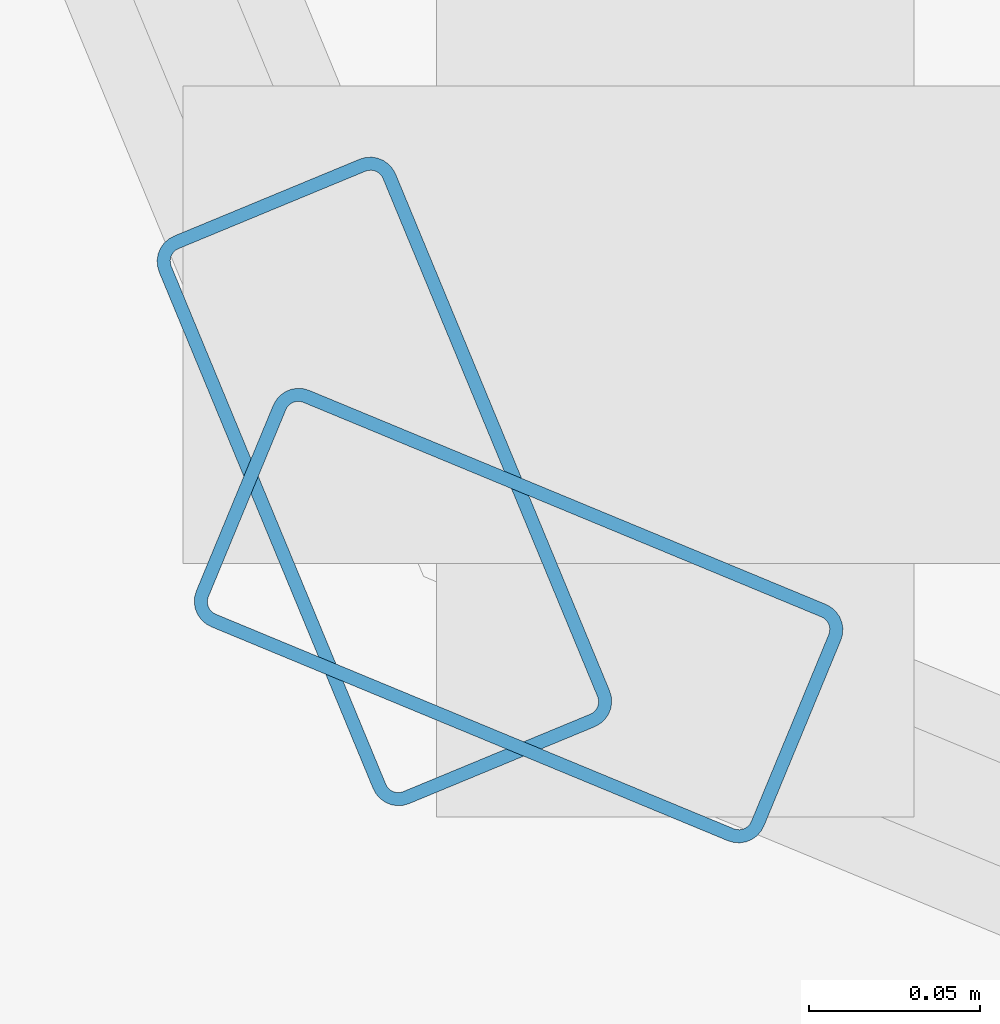
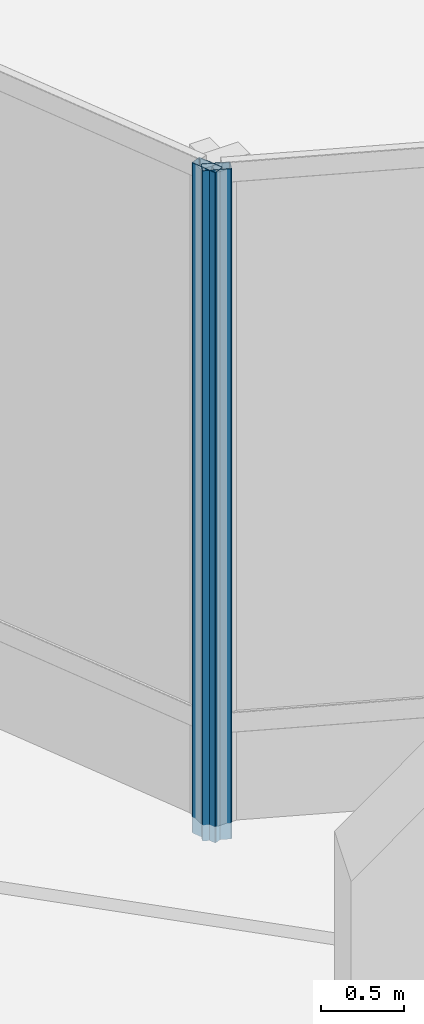
# One storey, part 9 of 37: 2 members, 2 elements without a shape of their own.
"""IFC4 building model written with IfcOpenShell, lengths in metres."""

from ifc_helpers import new_model, si_unit, direction, frame, origin, origin_2d, place, context, subcontext, project, spatial, hollow_rectangle, extrude, material, layer, layer_set, material_profile, profile_set, type_object, element, aggregate, save


model = new_model("IFC4")

# Units and contexts
model_context = context("Model", 3, precision=1e-05, world=origin(), true_north=direction((0.0, 1.0)))
body_context = subcontext(model_context, "Body", "Model", "MODEL_VIEW")
ifc_project = project(units=[si_unit("LENGTHUNIT", "METRE"), si_unit("AREAUNIT", "SQUARE_METRE"), si_unit("VOLUMEUNIT", "CUBIC_METRE"), si_unit("PLANEANGLEUNIT", "RADIAN"), si_unit("MASSUNIT", "GRAM", prefix="KILO")], contexts=[model_context])

# Site, building, storey
site_placement = place(None, origin())
site = spatial("IfcSite", under=ifc_project, at=site_placement, CompositionType="ELEMENT")
building_placement = place(site_placement, origin())
building = spatial("IfcBuilding", under=site, at=building_placement, Name="Solvaryn Broadcast Tower", CompositionType="ELEMENT")
storey_placement = place(building_placement, frame((0.0, 0.0, 30.800048828125)))
storey = spatial("IfcBuildingStorey", under=building, at=storey_placement, Name="L06", CompositionType="ELEMENT", Elevation=30.800048828125)

# Curtain wall, member
ifc_material_1 = material(Name="Aluminium and Terracotta Unitised Curtain Wall", Category="masonry")
ifc_layer = layer(ifc_material_1, 0.199951171875)
ifc_layer_set = layer_set([ifc_layer], Name="CW-SYS2-LOWMID")
curtain_wall_type = type_object("IfcCurtainWallType", Name="CW-SYS2-LOWMID", PredefinedType="NOTDEFINED", material=ifc_layer_set)
curtain_wall_1_placement = place(storey_placement, origin())
curtain_wall_1 = element("IfcCurtainWall", 1, at=curtain_wall_1_placement, inside=storey, type_object=curtain_wall_type, Name="L06 Curtain Wall CN1", PredefinedType="NOTDEFINED")
ifc_material_2 = material(Name="Anodised Aluminium 6063-T6", Category="aluminium")
ifc_material_profile = material_profile(ifc_material_2, hollow_rectangle(XDim=0.074951171875, YDim=0.179931640625, WallThickness=0.00390625, InnerFilletRadius=0.00390625, OuterFilletRadius=0.008056640625, at=origin_2d()))
ifc_profile_set = profile_set([ifc_material_profile], Name="Anodised Aluminium 6063-T6")
member_type = type_object("IfcMemberType", Name="CW-MUL-180", PredefinedType="MULLION", material=ifc_profile_set)
member_1_placement = place(storey_placement, frame((30.395751953125, 30.3564453125, 0.0), z_axis=(0.0, 0.0, 1.0), x_axis=(-0.382646127145, -0.923894983957, 0.0)))
member_1 = element("IfcMember", 2, at=member_1_placement, type_object=member_type, Name="CWS2 mullion 2", PredefinedType="MULLION", context=body_context, shape_type="SweptSolid", body=[
    extrude(hollow_rectangle(XDim=0.074951171875, YDim=0.179931640625, WallThickness=0.00390625, InnerFilletRadius=0.00390625, OuterFilletRadius=0.008056640625, at=origin_2d()), origin(), (0.0, 0.0, 1.0), 4.919921875),
])
aggregate(curtain_wall_1, [member_1])

curtain_wall_2_placement = place(storey_placement, origin())
curtain_wall_2 = element("IfcCurtainWall", 3, at=curtain_wall_2_placement, inside=storey, type_object=curtain_wall_type, Name="L06 Curtain Wall CN2", PredefinedType="NOTDEFINED")
member_2_placement = place(storey_placement, frame((30.3564453125, 30.395751953125, 0.0), z_axis=(0.0, 0.0, 1.0), x_axis=(-0.923894983957, -0.382646127145, 0.0)))
member_2 = element("IfcMember", 4, at=member_2_placement, type_object=member_type, Name="CWS2 mullion 1", PredefinedType="MULLION", context=body_context, shape_type="SweptSolid", body=[
    extrude(hollow_rectangle(XDim=0.074951171875, YDim=0.179931640625, WallThickness=0.00390625, InnerFilletRadius=0.00390625, OuterFilletRadius=0.008056640625, at=origin_2d()), origin(), (0.0, 0.0, 1.0), 4.919921875),
])
aggregate(curtain_wall_2, [member_2])

save(model, "model.ifc")
